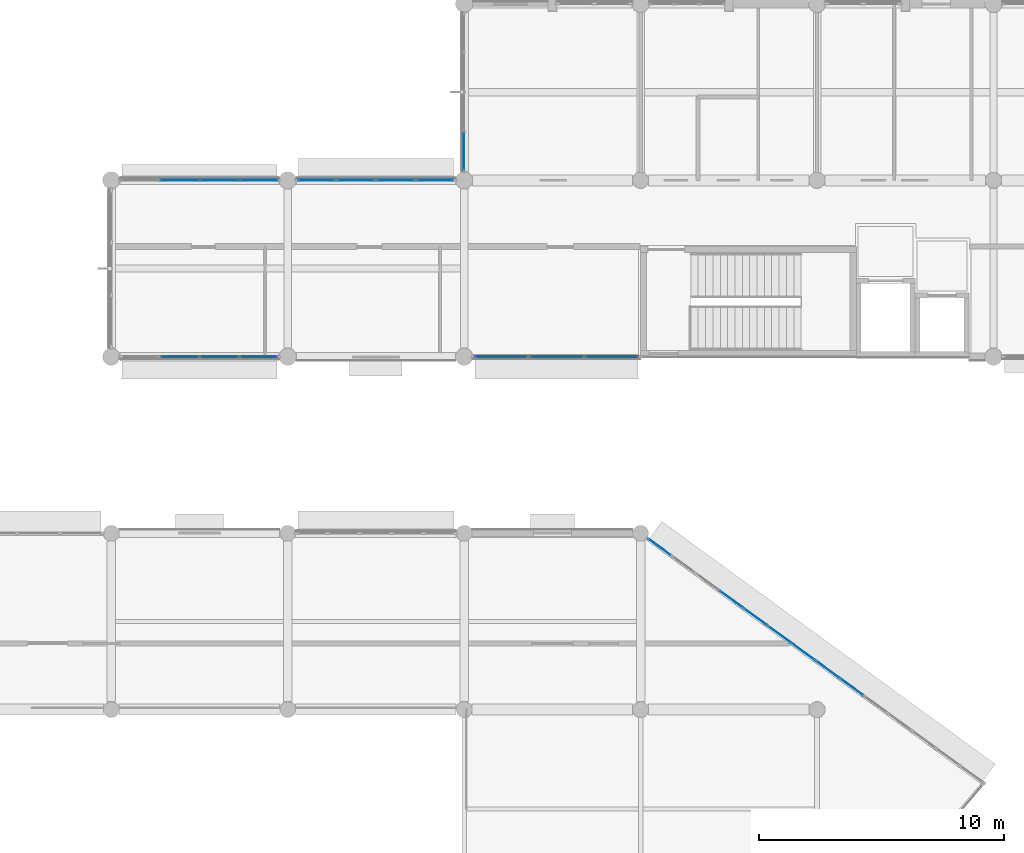
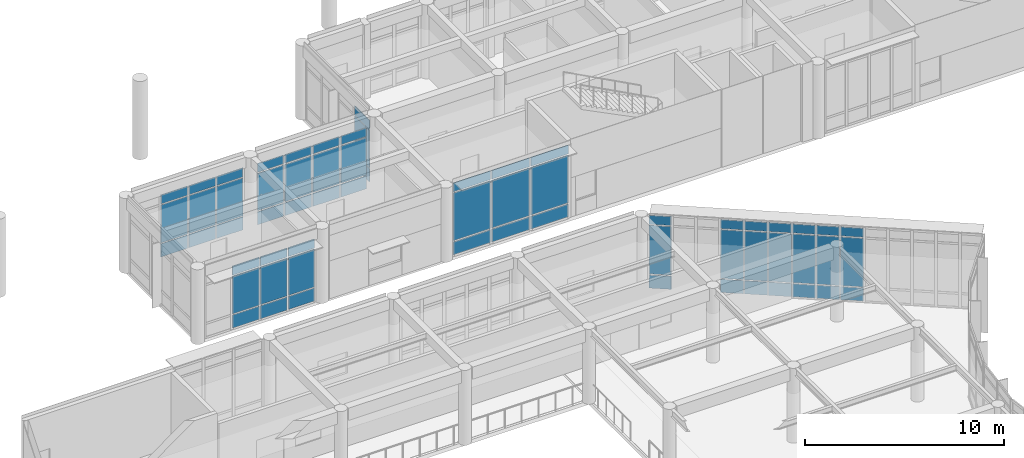
# One storey, part 40 of 92: 63 plates, 6 elements without a shape of their own.
"""IFC4 building model written with IfcOpenShell, lengths in metres."""

from ifc_helpers import new_model, si_unit, direction, frame, origin, origin_2d, place, context, subcontext, project, spatial, rectangle, extrude, material, layer, layer_set, type_object, element, aggregate, save


model = new_model("IFC4")

# Units and contexts
model_context = context("Model", 3, precision=1e-05, world=origin(), true_north=direction((0.0, 1.0)))
body_context = subcontext(model_context, "Body", "Model", "MODEL_VIEW")
ifc_project = project(units=[si_unit("LENGTHUNIT", "METRE"), si_unit("AREAUNIT", "SQUARE_METRE"), si_unit("VOLUMEUNIT", "CUBIC_METRE"), si_unit("PLANEANGLEUNIT", "RADIAN"), si_unit("MASSUNIT", "GRAM", prefix="KILO")], contexts=[model_context])

# Site, building, storey
site_placement = place(None, origin())
site = spatial("IfcSite", under=ifc_project, at=site_placement, CompositionType="ELEMENT")
building_placement = place(site_placement, origin())
building = spatial("IfcBuilding", under=site, at=building_placement, Name="Namkhue Oval Health Centre", CompositionType="ELEMENT")
storey_placement = place(building_placement, frame((0.0, 0.0, 4.800048828125)))
storey = spatial("IfcBuildingStorey", under=building, at=storey_placement, Name="L01", CompositionType="ELEMENT", Elevation=4.800048828125)

# Curtain wall, plates
ifc_material_1 = material(Name="Anodised aluminium EN AW-6063 T6", Category="aluminium")
ifc_layer_1 = layer(ifc_material_1, 0.159912109375)
ifc_layer_set_1 = layer_set([ifc_layer_1], Name="Anodised aluminium EN AW-6063 T6")
curtain_wall_type_1 = type_object("IfcCurtainWallType", Name="UNITISED CURTAIN WALL M1500", PredefinedType="NOTDEFINED", material=ifc_layer_set_1)
curtain_wall_1_placement = place(storey_placement, origin())
curtain_wall_1 = element("IfcCurtainWall", 1, at=curtain_wall_1_placement, inside=storey, type_object=curtain_wall_type_1, Name="Volume V2 L01 Unitised Curtain Wall 57", PredefinedType="NOTDEFINED")
ifc_material_2 = material(Name="Thermally broken low-E laminated double glazing", Category="glass")
ifc_layer_2 = layer(ifc_material_2, 0.02587890625)
ifc_layer_set_2 = layer_set([ifc_layer_2], Name="Thermally broken low-E laminated double glazing")
plate_type_1 = type_object("IfcPlateType", Name="CURTAIN WALL GLAZED PANEL 26", PredefinedType="CURTAIN_PANEL", material=ifc_layer_set_2)
plate_1_placement = place(storey_placement, frame((50.39990234375, 98.38623046875, 0.06494140625), z_axis=(0.0, 0.0, 1.0), x_axis=(0.0, -1.0, 0.0)))
plate_1 = element("IfcPlate", 2, at=plate_1_placement, type_object=plate_type_1, Name="CW-03 panel 4.1", PredefinedType="CURTAIN_PANEL", context=body_context, shape_type="SweptSolid", body=[
    extrude(rectangle(XDim=1.5224609375, YDim=0.02587890625, at=origin_2d()), origin(), (0.0, 0.0, 1.0), 0.802490234375),
])
plate_2_placement = place(storey_placement, frame((50.39990234375, 98.38623046875, 0.932373046875), z_axis=(0.0, 0.0, 1.0), x_axis=(0.0, -1.0, 0.0)))
plate_2 = element("IfcPlate", 3, at=plate_2_placement, type_object=plate_type_1, Name="CW-03 panel 4.2", PredefinedType="CURTAIN_PANEL", context=body_context, shape_type="SweptSolid", body=[
    extrude(rectangle(XDim=1.5224609375, YDim=0.02587890625, at=origin_2d()), origin(), (0.0, 0.0, 1.0), 2.2900390625),
])
plate_3_placement = place(storey_placement, frame((50.39990234375, 98.38623046875, 3.28759765625), z_axis=(0.0, 0.0, 1.0), x_axis=(0.0, -1.0, 0.0)))
plate_3 = element("IfcPlate", 4, at=plate_3_placement, type_object=plate_type_1, Name="CW-03 panel 4.3", PredefinedType="CURTAIN_PANEL", context=body_context, shape_type="SweptSolid", body=[
    extrude(rectangle(XDim=1.5224609375, YDim=0.02587890625, at=origin_2d()), origin(), (0.0, 0.0, 1.0), 0.552490234375),
])
aggregate(curtain_wall_1, [plate_1, plate_2, plate_3])

ifc_layer_3 = layer(ifc_material_1, 0.159912109375)
ifc_layer_set_3 = layer_set([ifc_layer_3], Name="Anodised aluminium EN AW-6063 T6")
curtain_wall_type_2 = type_object("IfcCurtainWallType", Name="UNITISED CURTAIN WALL M1600", PredefinedType="NOTDEFINED", material=ifc_layer_set_3)
curtain_wall_2_placement = place(storey_placement, origin())
curtain_wall_2 = element("IfcCurtainWall", 5, at=curtain_wall_2_placement, inside=storey, type_object=curtain_wall_type_2, Name="Volume V2 L01 Unitised Curtain Wall 58", PredefinedType="NOTDEFINED")
ifc_layer_4 = layer(ifc_material_2, 0.028076171875)
ifc_layer_set_4 = layer_set([ifc_layer_4], Name="Thermally broken low-E laminated double glazing")
plate_type_2 = type_object("IfcPlateType", Name="CURTAIN WALL GLAZED PANEL 28", PredefinedType="CURTAIN_PANEL", material=ifc_layer_set_4)
plate_4_placement = place(storey_placement, frame((49.211181640625, 97.199951171875, 0.074951171875), z_axis=(0.0, 0.0, 1.0), x_axis=(-1.0, 0.0, 0.0)))
plate_4 = element("IfcPlate", 6, at=plate_4_placement, type_object=plate_type_2, Name="CW-04 panel 1.1", PredefinedType="CURTAIN_PANEL", context=body_context, shape_type="SweptSolid", body=[
    extrude(rectangle(XDim=1.507568359375, YDim=0.028076171875, at=origin_2d()), origin(), (0.0, 0.0, 1.0), 0.78759765625),
])
plate_5_placement = place(storey_placement, frame((49.211181640625, 97.199951171875, 0.9375), z_axis=(0.0, 0.0, 1.0), x_axis=(-1.0, 0.0, 0.0)))
plate_5 = element("IfcPlate", 7, at=plate_5_placement, type_object=plate_type_2, Name="CW-04 panel 1.2", PredefinedType="CURTAIN_PANEL", context=body_context, shape_type="SweptSolid", body=[
    extrude(rectangle(XDim=1.507568359375, YDim=0.028076171875, at=origin_2d()), origin(), (0.0, 0.0, 1.0), 2.280029296875),
])
plate_6_placement = place(storey_placement, frame((49.211181640625, 97.199951171875, 3.29248046875), z_axis=(0.0, 0.0, 1.0), x_axis=(-1.0, 0.0, 0.0)))
plate_6 = element("IfcPlate", 8, at=plate_6_placement, type_object=plate_type_2, Name="CW-04 panel 1.3", PredefinedType="CURTAIN_PANEL", context=body_context, shape_type="SweptSolid", body=[
    extrude(rectangle(XDim=1.507568359375, YDim=0.028076171875, at=origin_2d()), origin(), (0.0, 0.0, 1.0), 0.53759765625),
])
plate_7_placement = place(storey_placement, frame((47.610107421875, 97.199951171875, 0.074951171875), z_axis=(0.0, 0.0, 1.0), x_axis=(-1.0, 0.0, 0.0)))
plate_7 = element("IfcPlate", 9, at=plate_7_placement, type_object=plate_type_2, Name="CW-04 panel 2.1", PredefinedType="CURTAIN_PANEL", context=body_context, shape_type="SweptSolid", body=[
    extrude(rectangle(XDim=1.544921875, YDim=0.028076171875, at=origin_2d()), origin(), (0.0, 0.0, 1.0), 0.78759765625),
])
plate_8_placement = place(storey_placement, frame((47.610107421875, 97.199951171875, 0.9375), z_axis=(0.0, 0.0, 1.0), x_axis=(-1.0, 0.0, 0.0)))
plate_8 = element("IfcPlate", 10, at=plate_8_placement, type_object=plate_type_2, Name="CW-04 panel 2.2", PredefinedType="CURTAIN_PANEL", context=body_context, shape_type="SweptSolid", body=[
    extrude(rectangle(XDim=1.544921875, YDim=0.028076171875, at=origin_2d()), origin(), (0.0, 0.0, 1.0), 2.280029296875),
])
plate_9_placement = place(storey_placement, frame((47.610107421875, 97.199951171875, 3.29248046875), z_axis=(0.0, 0.0, 1.0), x_axis=(-1.0, 0.0, 0.0)))
plate_9 = element("IfcPlate", 11, at=plate_9_placement, type_object=plate_type_2, Name="CW-04 panel 2.3", PredefinedType="CURTAIN_PANEL", context=body_context, shape_type="SweptSolid", body=[
    extrude(rectangle(XDim=1.544921875, YDim=0.028076171875, at=origin_2d()), origin(), (0.0, 0.0, 1.0), 0.53759765625),
])
plate_10_placement = place(storey_placement, frame((45.989990234375, 97.199951171875, 0.074951171875), z_axis=(0.0, 0.0, 1.0), x_axis=(-1.0, 0.0, 0.0)))
plate_10 = element("IfcPlate", 12, at=plate_10_placement, type_object=plate_type_2, Name="CW-04 panel 3.1", PredefinedType="CURTAIN_PANEL", context=body_context, shape_type="SweptSolid", body=[
    extrude(rectangle(XDim=1.544921875, YDim=0.028076171875, at=origin_2d()), origin(), (0.0, 0.0, 1.0), 0.78759765625),
])
plate_11_placement = place(storey_placement, frame((45.989990234375, 97.199951171875, 0.9375), z_axis=(0.0, 0.0, 1.0), x_axis=(-1.0, 0.0, 0.0)))
plate_11 = element("IfcPlate", 13, at=plate_11_placement, type_object=plate_type_2, Name="CW-04 panel 3.2", PredefinedType="CURTAIN_PANEL", context=body_context, shape_type="SweptSolid", body=[
    extrude(rectangle(XDim=1.544921875, YDim=0.028076171875, at=origin_2d()), origin(), (0.0, 0.0, 1.0), 2.280029296875),
])
plate_12_placement = place(storey_placement, frame((45.989990234375, 97.199951171875, 3.29248046875), z_axis=(0.0, 0.0, 1.0), x_axis=(-1.0, 0.0, 0.0)))
plate_12 = element("IfcPlate", 14, at=plate_12_placement, type_object=plate_type_2, Name="CW-04 panel 3.3", PredefinedType="CURTAIN_PANEL", context=body_context, shape_type="SweptSolid", body=[
    extrude(rectangle(XDim=1.544921875, YDim=0.028076171875, at=origin_2d()), origin(), (0.0, 0.0, 1.0), 0.53759765625),
])
plate_13_placement = place(storey_placement, frame((44.388671875, 97.199951171875, 0.074951171875), z_axis=(0.0, 0.0, 1.0), x_axis=(-1.0, 0.0, 0.0)))
plate_13 = element("IfcPlate", 15, at=plate_13_placement, type_object=plate_type_2, Name="CW-04 panel 4.1", PredefinedType="CURTAIN_PANEL", context=body_context, shape_type="SweptSolid", body=[
    extrude(rectangle(XDim=1.507568359375, YDim=0.028076171875, at=origin_2d()), origin(), (0.0, 0.0, 1.0), 0.78759765625),
])
plate_14_placement = place(storey_placement, frame((44.388671875, 97.199951171875, 0.9375), z_axis=(0.0, 0.0, 1.0), x_axis=(-1.0, 0.0, 0.0)))
plate_14 = element("IfcPlate", 16, at=plate_14_placement, type_object=plate_type_2, Name="CW-04 panel 4.2", PredefinedType="CURTAIN_PANEL", context=body_context, shape_type="SweptSolid", body=[
    extrude(rectangle(XDim=1.507568359375, YDim=0.028076171875, at=origin_2d()), origin(), (0.0, 0.0, 1.0), 2.280029296875),
])
plate_15_placement = place(storey_placement, frame((44.388671875, 97.199951171875, 3.29248046875), z_axis=(0.0, 0.0, 1.0), x_axis=(-1.0, 0.0, 0.0)))
plate_15 = element("IfcPlate", 17, at=plate_15_placement, type_object=plate_type_2, Name="CW-04 panel 4.3", PredefinedType="CURTAIN_PANEL", context=body_context, shape_type="SweptSolid", body=[
    extrude(rectangle(XDim=1.507568359375, YDim=0.028076171875, at=origin_2d()), origin(), (0.0, 0.0, 1.0), 0.53759765625),
])
aggregate(curtain_wall_2, [plate_4, plate_5, plate_6, plate_7, plate_8, plate_9, plate_10, plate_11, plate_12, plate_13, plate_14, plate_15])

ifc_layer_5 = layer(ifc_material_1, 0.159912109375)
ifc_layer_set_5 = layer_set([ifc_layer_5], Name="Anodised aluminium EN AW-6063 T6")
curtain_wall_type_3 = type_object("IfcCurtainWallType", Name="UNITISED CURTAIN WALL M1200", PredefinedType="NOTDEFINED", material=ifc_layer_set_5)
curtain_wall_3_placement = place(storey_placement, origin())
curtain_wall_3 = element("IfcCurtainWall", 18, at=curtain_wall_3_placement, inside=storey, type_object=curtain_wall_type_3, Name="Volume V1 L01 Unitised Curtain Wall 31", PredefinedType="NOTDEFINED")
ifc_material_3 = material(Name="Insulated anodised aluminium spandrel panel", Category="aluminium")
ifc_layer_6 = layer(ifc_material_3, 0.031982421875)
ifc_layer_set_6 = layer_set([ifc_layer_6], Name="Insulated anodised aluminium spandrel panel")
plate_type_3 = type_object("IfcPlateType", Name="CURTAIN WALL SPANDREL PANEL 32", PredefinedType="CURTAIN_PANEL", material=ifc_layer_set_6)
plate_16_placement = place(storey_placement, frame((66.21728515625, 76.52783203125, 0.06494140625), z_axis=(0.0, 0.0, 1.0), x_axis=(-0.808513999682, 0.588476942894, 0.0)))
plate_16 = element("IfcPlate", 19, at=plate_16_placement, type_object=plate_type_3, Name="CW-01 panel 6.1", PredefinedType="CURTAIN_PANEL", context=body_context, shape_type="SweptSolid", body=[
    extrude(rectangle(XDim=1.1494140625, YDim=0.031982421875, at=origin_2d()), origin(), (0.0, 0.0, 1.0), 0.802490234375),
])
plate_17_placement = place(storey_placement, frame((66.21728515625, 76.52783203125, 0.9326171875), z_axis=(0.0, 0.0, 1.0), x_axis=(-0.808513999682, 0.588476942894, 0.0)))
plate_17 = element("IfcPlate", 20, at=plate_17_placement, type_object=plate_type_3, Name="CW-01 panel 6.2", PredefinedType="CURTAIN_PANEL", context=body_context, shape_type="SweptSolid", body=[
    extrude(rectangle(XDim=1.1494140625, YDim=0.031982421875, at=origin_2d()), origin(), (0.0, 0.0, 1.0), 2.985107421875),
])
plate_18_placement = place(storey_placement, frame((66.21728515625, 76.52783203125, 3.982421875), z_axis=(0.0, 0.0, 1.0), x_axis=(-0.808513999682, 0.588476942894, 0.0)))
plate_18 = element("IfcPlate", 21, at=plate_18_placement, type_object=plate_type_3, Name="CW-01 panel 6.3", PredefinedType="CURTAIN_PANEL", context=body_context, shape_type="SweptSolid", body=[
    extrude(rectangle(XDim=1.1494140625, YDim=0.031982421875, at=origin_2d()), origin(), (0.0, 0.0, 1.0), 0.552490234375),
])
plate_19_placement = place(storey_placement, frame((65.2353515625, 77.24267578125, 0.06494140625), z_axis=(0.0, 0.0, 1.0), x_axis=(-0.808513999682, 0.588476942894, 0.0)))
plate_19 = element("IfcPlate", 22, at=plate_19_placement, type_object=plate_type_3, Name="CW-01 panel 7.1", PredefinedType="CURTAIN_PANEL", context=body_context, shape_type="SweptSolid", body=[
    extrude(rectangle(XDim=1.1494140625, YDim=0.031982421875, at=origin_2d()), origin(), (0.0, 0.0, 1.0), 0.802490234375),
])
plate_20_placement = place(storey_placement, frame((65.2353515625, 77.24267578125, 0.9326171875), z_axis=(0.0, 0.0, 1.0), x_axis=(-0.808513999682, 0.588476942894, 0.0)))
plate_20 = element("IfcPlate", 23, at=plate_20_placement, type_object=plate_type_3, Name="CW-01 panel 7.2", PredefinedType="CURTAIN_PANEL", context=body_context, shape_type="SweptSolid", body=[
    extrude(rectangle(XDim=1.1494140625, YDim=0.031982421875, at=origin_2d()), origin(), (0.0, 0.0, 1.0), 2.985107421875),
])
plate_21_placement = place(storey_placement, frame((65.2353515625, 77.24267578125, 3.982421875), z_axis=(0.0, 0.0, 1.0), x_axis=(-0.808513999682, 0.588476942894, 0.0)))
plate_21 = element("IfcPlate", 24, at=plate_21_placement, type_object=plate_type_3, Name="CW-01 panel 7.3", PredefinedType="CURTAIN_PANEL", context=body_context, shape_type="SweptSolid", body=[
    extrude(rectangle(XDim=1.1494140625, YDim=0.031982421875, at=origin_2d()), origin(), (0.0, 0.0, 1.0), 0.552490234375),
])
plate_22_placement = place(storey_placement, frame((64.25341796875, 77.957275390625, 0.06494140625), z_axis=(0.0, 0.0, 1.0), x_axis=(-0.808513999682, 0.588476942894, 0.0)))
plate_22 = element("IfcPlate", 25, at=plate_22_placement, type_object=plate_type_3, Name="CW-01 panel 8.1", PredefinedType="CURTAIN_PANEL", context=body_context, shape_type="SweptSolid", body=[
    extrude(rectangle(XDim=1.1494140625, YDim=0.031982421875, at=origin_2d()), origin(), (0.0, 0.0, 1.0), 0.802490234375),
])
plate_23_placement = place(storey_placement, frame((64.25341796875, 77.957275390625, 0.9326171875), z_axis=(0.0, 0.0, 1.0), x_axis=(-0.808513999682, 0.588476942894, 0.0)))
plate_23 = element("IfcPlate", 26, at=plate_23_placement, type_object=plate_type_3, Name="CW-01 panel 8.2", PredefinedType="CURTAIN_PANEL", context=body_context, shape_type="SweptSolid", body=[
    extrude(rectangle(XDim=1.1494140625, YDim=0.031982421875, at=origin_2d()), origin(), (0.0, 0.0, 1.0), 2.985107421875),
])
plate_24_placement = place(storey_placement, frame((64.25341796875, 77.957275390625, 3.982421875), z_axis=(0.0, 0.0, 1.0), x_axis=(-0.808513999682, 0.588476942894, 0.0)))
plate_24 = element("IfcPlate", 27, at=plate_24_placement, type_object=plate_type_3, Name="CW-01 panel 8.3", PredefinedType="CURTAIN_PANEL", context=body_context, shape_type="SweptSolid", body=[
    extrude(rectangle(XDim=1.1494140625, YDim=0.031982421875, at=origin_2d()), origin(), (0.0, 0.0, 1.0), 0.552490234375),
])
plate_25_placement = place(storey_placement, frame((63.271484375, 78.672119140625, 0.06494140625), z_axis=(0.0, 0.0, 1.0), x_axis=(-0.808513999682, 0.588476942894, 0.0)))
plate_25 = element("IfcPlate", 28, at=plate_25_placement, type_object=plate_type_3, Name="CW-01 panel 9.1", PredefinedType="CURTAIN_PANEL", context=body_context, shape_type="SweptSolid", body=[
    extrude(rectangle(XDim=1.1494140625, YDim=0.031982421875, at=origin_2d()), origin(), (0.0, 0.0, 1.0), 0.802490234375),
])
plate_26_placement = place(storey_placement, frame((63.271484375, 78.672119140625, 0.9326171875), z_axis=(0.0, 0.0, 1.0), x_axis=(-0.808513999682, 0.588476942894, 0.0)))
plate_26 = element("IfcPlate", 29, at=plate_26_placement, type_object=plate_type_3, Name="CW-01 panel 9.2", PredefinedType="CURTAIN_PANEL", context=body_context, shape_type="SweptSolid", body=[
    extrude(rectangle(XDim=1.1494140625, YDim=0.031982421875, at=origin_2d()), origin(), (0.0, 0.0, 1.0), 2.985107421875),
])
plate_27_placement = place(storey_placement, frame((63.271484375, 78.672119140625, 3.982421875), z_axis=(0.0, 0.0, 1.0), x_axis=(-0.808513999682, 0.588476942894, 0.0)))
plate_27 = element("IfcPlate", 30, at=plate_27_placement, type_object=plate_type_3, Name="CW-01 panel 9.3", PredefinedType="CURTAIN_PANEL", context=body_context, shape_type="SweptSolid", body=[
    extrude(rectangle(XDim=1.1494140625, YDim=0.031982421875, at=origin_2d()), origin(), (0.0, 0.0, 1.0), 0.552490234375),
])
plate_28_placement = place(storey_placement, frame((62.28955078125, 79.38671875, 0.06494140625), z_axis=(0.0, 0.0, 1.0), x_axis=(-0.808513999682, 0.588476942894, 0.0)))
plate_28 = element("IfcPlate", 31, at=plate_28_placement, type_object=plate_type_3, Name="CW-01 panel 10.1", PredefinedType="CURTAIN_PANEL", context=body_context, shape_type="SweptSolid", body=[
    extrude(rectangle(XDim=1.1494140625, YDim=0.031982421875, at=origin_2d()), origin(), (0.0, 0.0, 1.0), 0.802490234375),
])
plate_29_placement = place(storey_placement, frame((62.28955078125, 79.38671875, 0.9326171875), z_axis=(0.0, 0.0, 1.0), x_axis=(-0.808513999682, 0.588476942894, 0.0)))
plate_29 = element("IfcPlate", 32, at=plate_29_placement, type_object=plate_type_3, Name="CW-01 panel 10.2", PredefinedType="CURTAIN_PANEL", context=body_context, shape_type="SweptSolid", body=[
    extrude(rectangle(XDim=1.1494140625, YDim=0.031982421875, at=origin_2d()), origin(), (0.0, 0.0, 1.0), 2.985107421875),
])
plate_30_placement = place(storey_placement, frame((62.28955078125, 79.38671875, 3.982421875), z_axis=(0.0, 0.0, 1.0), x_axis=(-0.808513999682, 0.588476942894, 0.0)))
plate_30 = element("IfcPlate", 33, at=plate_30_placement, type_object=plate_type_3, Name="CW-01 panel 10.3", PredefinedType="CURTAIN_PANEL", context=body_context, shape_type="SweptSolid", body=[
    extrude(rectangle(XDim=1.1494140625, YDim=0.031982421875, at=origin_2d()), origin(), (0.0, 0.0, 1.0), 0.552490234375),
])
plate_31_placement = place(storey_placement, frame((61.3076171875, 80.101318359375, 0.06494140625), z_axis=(0.0, 0.0, 1.0), x_axis=(-0.808513999682, 0.588476942894, 0.0)))
plate_31 = element("IfcPlate", 34, at=plate_31_placement, type_object=plate_type_3, Name="CW-01 panel 11.1", PredefinedType="CURTAIN_PANEL", context=body_context, shape_type="SweptSolid", body=[
    extrude(rectangle(XDim=1.1494140625, YDim=0.031982421875, at=origin_2d()), origin(), (0.0, 0.0, 1.0), 0.802490234375),
])
plate_32_placement = place(storey_placement, frame((61.3076171875, 80.101318359375, 0.9326171875), z_axis=(0.0, 0.0, 1.0), x_axis=(-0.808513999682, 0.588476942894, 0.0)))
plate_32 = element("IfcPlate", 35, at=plate_32_placement, type_object=plate_type_3, Name="CW-01 panel 11.2", PredefinedType="CURTAIN_PANEL", context=body_context, shape_type="SweptSolid", body=[
    extrude(rectangle(XDim=1.1494140625, YDim=0.031982421875, at=origin_2d()), origin(), (0.0, 0.0, 1.0), 2.985107421875),
])
plate_33_placement = place(storey_placement, frame((61.3076171875, 80.101318359375, 3.982421875), z_axis=(0.0, 0.0, 1.0), x_axis=(-0.808513999682, 0.588476942894, 0.0)))
plate_33 = element("IfcPlate", 36, at=plate_33_placement, type_object=plate_type_3, Name="CW-01 panel 11.3", PredefinedType="CURTAIN_PANEL", context=body_context, shape_type="SweptSolid", body=[
    extrude(rectangle(XDim=1.1494140625, YDim=0.031982421875, at=origin_2d()), origin(), (0.0, 0.0, 1.0), 0.552490234375),
])
plate_34_placement = place(storey_placement, frame((58.375, 82.236083984375, 0.06494140625), z_axis=(0.0, 0.0, 1.0), x_axis=(-0.808513999682, 0.588476942894, 0.0)))
plate_34 = element("IfcPlate", 37, at=plate_34_placement, type_object=plate_type_3, Name="CW-01 panel 14.1", PredefinedType="CURTAIN_PANEL", context=body_context, shape_type="SweptSolid", body=[
    extrude(rectangle(XDim=1.116943359375, YDim=0.031982421875, at=origin_2d()), origin(), (0.0, 0.0, 1.0), 0.802490234375),
])
plate_35_placement = place(storey_placement, frame((58.375, 82.236083984375, 0.9326171875), z_axis=(0.0, 0.0, 1.0), x_axis=(-0.808513999682, 0.588476942894, 0.0)))
plate_35 = element("IfcPlate", 38, at=plate_35_placement, type_object=plate_type_3, Name="CW-01 panel 14.2", PredefinedType="CURTAIN_PANEL", context=body_context, shape_type="SweptSolid", body=[
    extrude(rectangle(XDim=1.116943359375, YDim=0.031982421875, at=origin_2d()), origin(), (0.0, 0.0, 1.0), 2.985107421875),
])
plate_36_placement = place(storey_placement, frame((58.375, 82.236083984375, 3.982421875), z_axis=(0.0, 0.0, 1.0), x_axis=(-0.808513999682, 0.588476942894, 0.0)))
plate_36 = element("IfcPlate", 39, at=plate_36_placement, type_object=plate_type_3, Name="CW-01 panel 14.3", PredefinedType="CURTAIN_PANEL", context=body_context, shape_type="SweptSolid", body=[
    extrude(rectangle(XDim=1.116943359375, YDim=0.031982421875, at=origin_2d()), origin(), (0.0, 0.0, 1.0), 0.552490234375),
])
aggregate(curtain_wall_3, [plate_16, plate_17, plate_18, plate_19, plate_20, plate_21, plate_22, plate_23, plate_24, plate_25, plate_26, plate_27, plate_28, plate_29, plate_30, plate_31, plate_32, plate_33, plate_34, plate_35, plate_36])

ifc_layer_7 = layer(ifc_material_1, 0.159912109375)
ifc_layer_set_7 = layer_set([ifc_layer_7], Name="Anodised aluminium EN AW-6063 T6")
curtain_wall_type_4 = type_object("IfcCurtainWallType", Name="UNITISED CURTAIN WALL M1800", PredefinedType="NOTDEFINED", material=ifc_layer_set_7)
curtain_wall_4_placement = place(storey_placement, origin())
curtain_wall_4 = element("IfcCurtainWall", 40, at=curtain_wall_4_placement, inside=storey, type_object=curtain_wall_type_4, Name="Volume V2 L01 Unitised Curtain Wall 47", PredefinedType="NOTDEFINED")
plate_37_placement = place(storey_placement, frame((38.7900390625, 90.0, 0.06494140625), z_axis=(0.0, 0.0, 1.0), x_axis=(1.0, 0.0, 0.0)))
plate_37 = element("IfcPlate", 41, at=plate_37_placement, type_object=plate_type_3, Name="CW-05 panel 2.1", PredefinedType="CURTAIN_PANEL", context=body_context, shape_type="SweptSolid", body=[
    extrude(rectangle(XDim=1.554931640625, YDim=0.031982421875, at=origin_2d()), origin(), (0.0, 0.0, 1.0), 0.802490234375),
])
plate_38_placement = place(storey_placement, frame((38.7900390625, 90.0, 0.9326171875), z_axis=(0.0, 0.0, 1.0), x_axis=(1.0, 0.0, 0.0)))
plate_38 = element("IfcPlate", 42, at=plate_38_placement, type_object=plate_type_3, Name="CW-05 panel 2.2", PredefinedType="CURTAIN_PANEL", context=body_context, shape_type="SweptSolid", body=[
    extrude(rectangle(XDim=1.554931640625, YDim=0.031982421875, at=origin_2d()), origin(), (0.0, 0.0, 1.0), 2.320068359375),
])
plate_39_placement = place(storey_placement, frame((38.7900390625, 90.0, 3.3173828125), z_axis=(0.0, 0.0, 1.0), x_axis=(1.0, 0.0, 0.0)))
plate_39 = element("IfcPlate", 43, at=plate_39_placement, type_object=plate_type_3, Name="CW-05 panel 2.3", PredefinedType="CURTAIN_PANEL", context=body_context, shape_type="SweptSolid", body=[
    extrude(rectangle(XDim=1.554931640625, YDim=0.031982421875, at=origin_2d()), origin(), (0.0, 0.0, 1.0), 0.552490234375),
])
plate_40_placement = place(storey_placement, frame((40.409912109375, 90.0, 0.06494140625), z_axis=(0.0, 0.0, 1.0), x_axis=(1.0, 0.0, 0.0)))
plate_40 = element("IfcPlate", 44, at=plate_40_placement, type_object=plate_type_3, Name="CW-05 panel 3.1", PredefinedType="CURTAIN_PANEL", context=body_context, shape_type="SweptSolid", body=[
    extrude(rectangle(XDim=1.554931640625, YDim=0.031982421875, at=origin_2d()), origin(), (0.0, 0.0, 1.0), 0.802490234375),
])
plate_41_placement = place(storey_placement, frame((40.409912109375, 90.0, 0.9326171875), z_axis=(0.0, 0.0, 1.0), x_axis=(1.0, 0.0, 0.0)))
plate_41 = element("IfcPlate", 45, at=plate_41_placement, type_object=plate_type_3, Name="CW-05 panel 3.2", PredefinedType="CURTAIN_PANEL", context=body_context, shape_type="SweptSolid", body=[
    extrude(rectangle(XDim=1.554931640625, YDim=0.031982421875, at=origin_2d()), origin(), (0.0, 0.0, 1.0), 2.320068359375),
])
plate_42_placement = place(storey_placement, frame((40.409912109375, 90.0, 3.3173828125), z_axis=(0.0, 0.0, 1.0), x_axis=(1.0, 0.0, 0.0)))
plate_42 = element("IfcPlate", 46, at=plate_42_placement, type_object=plate_type_3, Name="CW-05 panel 3.3", PredefinedType="CURTAIN_PANEL", context=body_context, shape_type="SweptSolid", body=[
    extrude(rectangle(XDim=1.554931640625, YDim=0.031982421875, at=origin_2d()), origin(), (0.0, 0.0, 1.0), 0.552490234375),
])
plate_43_placement = place(storey_placement, frame((42.013671875, 90.0, 0.06494140625), z_axis=(0.0, 0.0, 1.0), x_axis=(1.0, 0.0, 0.0)))
plate_43 = element("IfcPlate", 47, at=plate_43_placement, type_object=plate_type_3, Name="CW-05 panel 4.1", PredefinedType="CURTAIN_PANEL", context=body_context, shape_type="SweptSolid", body=[
    extrude(rectangle(XDim=1.5224609375, YDim=0.031982421875, at=origin_2d()), origin(), (0.0, 0.0, 1.0), 0.802490234375),
])
plate_44_placement = place(storey_placement, frame((42.013671875, 90.0, 0.9326171875), z_axis=(0.0, 0.0, 1.0), x_axis=(1.0, 0.0, 0.0)))
plate_44 = element("IfcPlate", 48, at=plate_44_placement, type_object=plate_type_3, Name="CW-05 panel 4.2", PredefinedType="CURTAIN_PANEL", context=body_context, shape_type="SweptSolid", body=[
    extrude(rectangle(XDim=1.5224609375, YDim=0.031982421875, at=origin_2d()), origin(), (0.0, 0.0, 1.0), 2.320068359375),
])
plate_45_placement = place(storey_placement, frame((42.013671875, 90.0, 3.3173828125), z_axis=(0.0, 0.0, 1.0), x_axis=(1.0, 0.0, 0.0)))
plate_45 = element("IfcPlate", 49, at=plate_45_placement, type_object=plate_type_3, Name="CW-05 panel 4.3", PredefinedType="CURTAIN_PANEL", context=body_context, shape_type="SweptSolid", body=[
    extrude(rectangle(XDim=1.5224609375, YDim=0.031982421875, at=origin_2d()), origin(), (0.0, 0.0, 1.0), 0.552490234375),
])
aggregate(curtain_wall_4, [plate_37, plate_38, plate_39, plate_40, plate_41, plate_42, plate_43, plate_44, plate_45])

curtain_wall_5_placement = place(storey_placement, origin())
curtain_wall_5 = element("IfcCurtainWall", 50, at=curtain_wall_5_placement, inside=storey, type_object=curtain_wall_type_4, Name="Volume V2 L01 Unitised Curtain Wall 59", PredefinedType="NOTDEFINED")
plate_46_placement = place(storey_placement, frame((42.013671875, 97.199951171875, 0.06494140625), z_axis=(0.0, 0.0, 1.0), x_axis=(-1.0, 0.0, 0.0)))
plate_46 = element("IfcPlate", 51, at=plate_46_placement, type_object=plate_type_3, Name="CW-05 panel 1.1", PredefinedType="CURTAIN_PANEL", context=body_context, shape_type="SweptSolid", body=[
    extrude(rectangle(XDim=1.5224609375, YDim=0.031982421875, at=origin_2d()), origin(), (0.0, 0.0, 1.0), 0.802490234375),
])
plate_47_placement = place(storey_placement, frame((42.013671875, 97.199951171875, 0.9326171875), z_axis=(0.0, 0.0, 1.0), x_axis=(-1.0, 0.0, 0.0)))
plate_47 = element("IfcPlate", 52, at=plate_47_placement, type_object=plate_type_3, Name="CW-05 panel 1.2", PredefinedType="CURTAIN_PANEL", context=body_context, shape_type="SweptSolid", body=[
    extrude(rectangle(XDim=1.5224609375, YDim=0.031982421875, at=origin_2d()), origin(), (0.0, 0.0, 1.0), 2.320068359375),
])
plate_48_placement = place(storey_placement, frame((42.013671875, 97.199951171875, 3.3173828125), z_axis=(0.0, 0.0, 1.0), x_axis=(-1.0, 0.0, 0.0)))
plate_48 = element("IfcPlate", 53, at=plate_48_placement, type_object=plate_type_3, Name="CW-05 panel 1.3", PredefinedType="CURTAIN_PANEL", context=body_context, shape_type="SweptSolid", body=[
    extrude(rectangle(XDim=1.5224609375, YDim=0.031982421875, at=origin_2d()), origin(), (0.0, 0.0, 1.0), 0.552490234375),
])
plate_49_placement = place(storey_placement, frame((40.409912109375, 97.199951171875, 0.06494140625), z_axis=(0.0, 0.0, 1.0), x_axis=(-1.0, 0.0, 0.0)))
plate_49 = element("IfcPlate", 54, at=plate_49_placement, type_object=plate_type_3, Name="CW-05 panel 2.1", PredefinedType="CURTAIN_PANEL", context=body_context, shape_type="SweptSolid", body=[
    extrude(rectangle(XDim=1.554931640625, YDim=0.031982421875, at=origin_2d()), origin(), (0.0, 0.0, 1.0), 0.802490234375),
])
plate_50_placement = place(storey_placement, frame((40.409912109375, 97.199951171875, 0.9326171875), z_axis=(0.0, 0.0, 1.0), x_axis=(-1.0, 0.0, 0.0)))
plate_50 = element("IfcPlate", 55, at=plate_50_placement, type_object=plate_type_3, Name="CW-05 panel 2.2", PredefinedType="CURTAIN_PANEL", context=body_context, shape_type="SweptSolid", body=[
    extrude(rectangle(XDim=1.554931640625, YDim=0.031982421875, at=origin_2d()), origin(), (0.0, 0.0, 1.0), 2.320068359375),
])
plate_51_placement = place(storey_placement, frame((40.409912109375, 97.199951171875, 3.3173828125), z_axis=(0.0, 0.0, 1.0), x_axis=(-1.0, 0.0, 0.0)))
plate_51 = element("IfcPlate", 56, at=plate_51_placement, type_object=plate_type_3, Name="CW-05 panel 2.3", PredefinedType="CURTAIN_PANEL", context=body_context, shape_type="SweptSolid", body=[
    extrude(rectangle(XDim=1.554931640625, YDim=0.031982421875, at=origin_2d()), origin(), (0.0, 0.0, 1.0), 0.552490234375),
])
plate_52_placement = place(storey_placement, frame((38.7900390625, 97.199951171875, 0.06494140625), z_axis=(0.0, 0.0, 1.0), x_axis=(-1.0, 0.0, 0.0)))
plate_52 = element("IfcPlate", 57, at=plate_52_placement, type_object=plate_type_3, Name="CW-05 panel 3.1", PredefinedType="CURTAIN_PANEL", context=body_context, shape_type="SweptSolid", body=[
    extrude(rectangle(XDim=1.554931640625, YDim=0.031982421875, at=origin_2d()), origin(), (0.0, 0.0, 1.0), 0.802490234375),
])
plate_53_placement = place(storey_placement, frame((38.7900390625, 97.199951171875, 0.9326171875), z_axis=(0.0, 0.0, 1.0), x_axis=(-1.0, 0.0, 0.0)))
plate_53 = element("IfcPlate", 58, at=plate_53_placement, type_object=plate_type_3, Name="CW-05 panel 3.2", PredefinedType="CURTAIN_PANEL", context=body_context, shape_type="SweptSolid", body=[
    extrude(rectangle(XDim=1.554931640625, YDim=0.031982421875, at=origin_2d()), origin(), (0.0, 0.0, 1.0), 2.320068359375),
])
plate_54_placement = place(storey_placement, frame((38.7900390625, 97.199951171875, 3.3173828125), z_axis=(0.0, 0.0, 1.0), x_axis=(-1.0, 0.0, 0.0)))
plate_54 = element("IfcPlate", 59, at=plate_54_placement, type_object=plate_type_3, Name="CW-05 panel 3.3", PredefinedType="CURTAIN_PANEL", context=body_context, shape_type="SweptSolid", body=[
    extrude(rectangle(XDim=1.554931640625, YDim=0.031982421875, at=origin_2d()), origin(), (0.0, 0.0, 1.0), 0.552490234375),
])
aggregate(curtain_wall_5, [plate_46, plate_47, plate_48, plate_49, plate_50, plate_51, plate_52, plate_53, plate_54])

ifc_layer_8 = layer(ifc_material_1, 0.159912109375)
ifc_layer_set_8 = layer_set([ifc_layer_8], Name="Anodised aluminium EN AW-6063 T6")
curtain_wall_type_5 = type_object("IfcCurtainWallType", Name="UNITISED CURTAIN WALL M2000", PredefinedType="NOTDEFINED", material=ifc_layer_set_8)
curtain_wall_6_placement = place(storey_placement, origin())
curtain_wall_6 = element("IfcCurtainWall", 60, at=curtain_wall_6_placement, inside=storey, type_object=curtain_wall_type_5, Name="Volume V2 L01 Unitised Curtain Wall 48", PredefinedType="NOTDEFINED")
ifc_layer_9 = layer(ifc_material_3, 0.035888671875)
ifc_layer_set_9 = layer_set([ifc_layer_9], Name="Insulated anodised aluminium spandrel panel")
plate_type_4 = type_object("IfcPlateType", Name="CURTAIN WALL SPANDREL PANEL 36", PredefinedType="CURTAIN_PANEL", material=ifc_layer_set_9)
plate_55_placement = place(storey_placement, frame((51.916015625, 90.0, 0.074951171875), z_axis=(0.0, 0.0, 1.0), x_axis=(1.0, 0.0, 0.0)))
plate_55 = element("IfcPlate", 61, at=plate_55_placement, type_object=plate_type_4, Name="CW-06 panel 1.1", PredefinedType="CURTAIN_PANEL", context=body_context, shape_type="SweptSolid", body=[
    extrude(rectangle(XDim=2.161865234375, YDim=0.035888671875, at=origin_2d()), origin(), (0.0, 0.0, 1.0), 0.78759765625),
])
plate_56_placement = place(storey_placement, frame((51.916015625, 90.0, 0.9375), z_axis=(0.0, 0.0, 1.0), x_axis=(1.0, 0.0, 0.0)))
plate_56 = element("IfcPlate", 62, at=plate_56_placement, type_object=plate_type_4, Name="CW-06 panel 1.2", PredefinedType="CURTAIN_PANEL", context=body_context, shape_type="SweptSolid", body=[
    extrude(rectangle(XDim=2.161865234375, YDim=0.035888671875, at=origin_2d()), origin(), (0.0, 0.0, 1.0), 2.929931640625),
])
plate_57_placement = place(storey_placement, frame((51.916015625, 90.0, 3.9423828125), z_axis=(0.0, 0.0, 1.0), x_axis=(1.0, 0.0, 0.0)))
plate_57 = element("IfcPlate", 63, at=plate_57_placement, type_object=plate_type_4, Name="CW-06 panel 1.3", PredefinedType="CURTAIN_PANEL", context=body_context, shape_type="SweptSolid", body=[
    extrude(rectangle(XDim=2.161865234375, YDim=0.035888671875, at=origin_2d()), origin(), (0.0, 0.0, 1.0), 0.53759765625),
])
plate_58_placement = place(storey_placement, frame((54.17138671875, 90.0, 0.074951171875), z_axis=(0.0, 0.0, 1.0), x_axis=(1.0, 0.0, 0.0)))
plate_58 = element("IfcPlate", 64, at=plate_58_placement, type_object=plate_type_4, Name="CW-06 panel 2.1", PredefinedType="CURTAIN_PANEL", context=body_context, shape_type="SweptSolid", body=[
    extrude(rectangle(XDim=2.19921875, YDim=0.035888671875, at=origin_2d()), origin(), (0.0, 0.0, 1.0), 0.78759765625),
])
plate_59_placement = place(storey_placement, frame((54.17138671875, 90.0, 0.9375), z_axis=(0.0, 0.0, 1.0), x_axis=(1.0, 0.0, 0.0)))
plate_59 = element("IfcPlate", 65, at=plate_59_placement, type_object=plate_type_4, Name="CW-06 panel 2.2", PredefinedType="CURTAIN_PANEL", context=body_context, shape_type="SweptSolid", body=[
    extrude(rectangle(XDim=2.19921875, YDim=0.035888671875, at=origin_2d()), origin(), (0.0, 0.0, 1.0), 2.929931640625),
])
plate_60_placement = place(storey_placement, frame((54.17138671875, 90.0, 3.9423828125), z_axis=(0.0, 0.0, 1.0), x_axis=(1.0, 0.0, 0.0)))
plate_60 = element("IfcPlate", 66, at=plate_60_placement, type_object=plate_type_4, Name="CW-06 panel 2.3", PredefinedType="CURTAIN_PANEL", context=body_context, shape_type="SweptSolid", body=[
    extrude(rectangle(XDim=2.19921875, YDim=0.035888671875, at=origin_2d()), origin(), (0.0, 0.0, 1.0), 0.53759765625),
])
plate_61_placement = place(storey_placement, frame((56.427001953125, 90.0, 0.074951171875), z_axis=(0.0, 0.0, 1.0), x_axis=(1.0, 0.0, 0.0)))
plate_61 = element("IfcPlate", 67, at=plate_61_placement, type_object=plate_type_4, Name="CW-06 panel 3.1", PredefinedType="CURTAIN_PANEL", context=body_context, shape_type="SweptSolid", body=[
    extrude(rectangle(XDim=2.161865234375, YDim=0.035888671875, at=origin_2d()), origin(), (0.0, 0.0, 1.0), 0.78759765625),
])
plate_62_placement = place(storey_placement, frame((56.427001953125, 90.0, 0.9375), z_axis=(0.0, 0.0, 1.0), x_axis=(1.0, 0.0, 0.0)))
plate_62 = element("IfcPlate", 68, at=plate_62_placement, type_object=plate_type_4, Name="CW-06 panel 3.2", PredefinedType="CURTAIN_PANEL", context=body_context, shape_type="SweptSolid", body=[
    extrude(rectangle(XDim=2.161865234375, YDim=0.035888671875, at=origin_2d()), origin(), (0.0, 0.0, 1.0), 2.929931640625),
])
plate_63_placement = place(storey_placement, frame((56.427001953125, 90.0, 3.9423828125), z_axis=(0.0, 0.0, 1.0), x_axis=(1.0, 0.0, 0.0)))
plate_63 = element("IfcPlate", 69, at=plate_63_placement, type_object=plate_type_4, Name="CW-06 panel 3.3", PredefinedType="CURTAIN_PANEL", context=body_context, shape_type="SweptSolid", body=[
    extrude(rectangle(XDim=2.161865234375, YDim=0.035888671875, at=origin_2d()), origin(), (0.0, 0.0, 1.0), 0.53759765625),
])
aggregate(curtain_wall_6, [plate_55, plate_56, plate_57, plate_58, plate_59, plate_60, plate_61, plate_62, plate_63])

save(model, "model.ifc")
